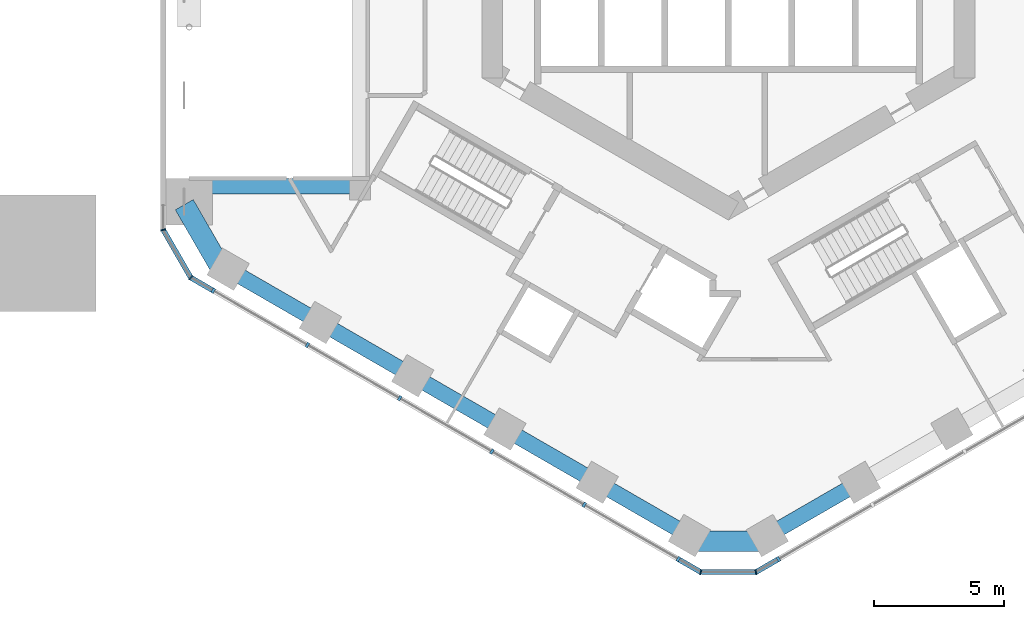
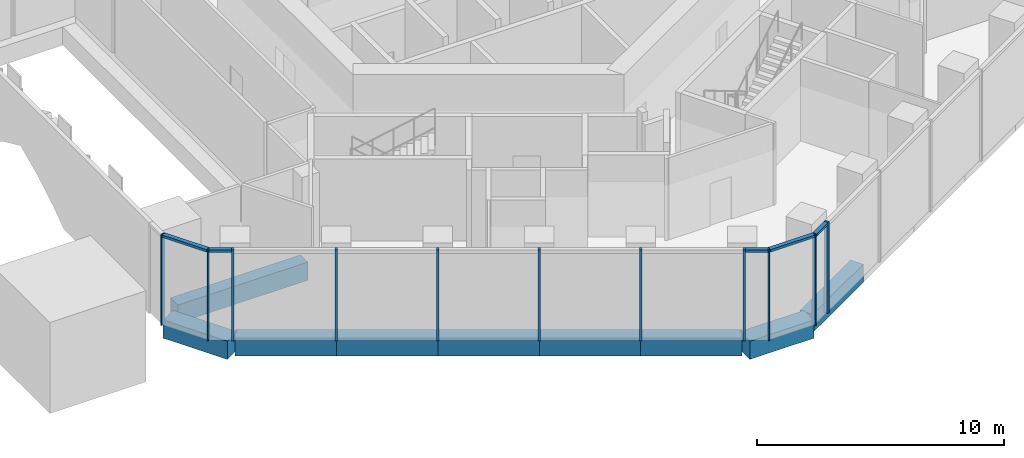
# One storey, part 2 of 14: 16 members, 9 beams, 4 elements without a shape of their own.
"""IFC4 building model written with IfcOpenShell, lengths in metres."""

from ifc_helpers import new_model, si_unit, direction, frame, origin, origin_2d, place, context, subcontext, project, spatial, rectangle, extrude, material, layer, layer_set, material_profile, profile_set, type_object, element, aggregate, save


model = new_model("IFC4")

# Units and contexts
model_context = context("Model", 3, precision=1e-05, world=origin(), true_north=direction((0.0, 1.0)))
body_context = subcontext(model_context, "Body", "Model", "MODEL_VIEW")
ifc_project = project(units=[si_unit("LENGTHUNIT", "METRE"), si_unit("AREAUNIT", "SQUARE_METRE"), si_unit("VOLUMEUNIT", "CUBIC_METRE"), si_unit("PLANEANGLEUNIT", "RADIAN"), si_unit("MASSUNIT", "GRAM", prefix="KILO")], contexts=[model_context])

# Site, building, storey
site_placement = place(None, origin())
site = spatial("IfcSite", under=ifc_project, at=site_placement, CompositionType="ELEMENT")
building_placement = place(site_placement, origin())
building = spatial("IfcBuilding", under=site, at=building_placement, Name="Ayvan Gate Tower", CompositionType="ELEMENT")
storey_placement = place(building_placement, frame((0.0, 0.0, 16.0)))
storey = spatial("IfcBuildingStorey", under=building, at=storey_placement, Name="L03", CompositionType="ELEMENT", Elevation=16.0)

# Beams
ifc_material_1 = material(Name="Concrete C40/50", Category="concrete")
ifc_material_profile_1 = material_profile(ifc_material_1, rectangle(XDim=0.800048828125, YDim=0.89990234375, at=origin_2d()), Name="RC 800x900")
ifc_profile_set_1 = profile_set([ifc_material_profile_1], Name="Concrete C40/50")
beam_type_1 = type_object("IfcBeamType", Name="Corner spandrel beam RC 800x900 C40/50", PredefinedType="BEAM", material=ifc_profile_set_1)
for number, where, z_axis, x_axis, name in (
    (1, (-20.97509765625, -10.3779296875, -0.85009765625), (0.499990139034, -0.866031096941, 0.0), (0.866031096941, 0.499990139034, 0.0), "SB-L03-24"),
    (2, (-1.5, -23.35400390625, -0.85009765625), (1.0, 0.0, 0.0), (0.0, 1.0, 0.0), "SB-L03-30"),
):
    element("IfcBeam", number, at=place(storey_placement, frame(where, z_axis=z_axis, x_axis=x_axis)), inside=storey, type_object=beam_type_1, Name=name, PredefinedType="BEAM", context=body_context, shape_type="SweptSolid", body=[
        extrude(rectangle(XDim=0.800048828125, YDim=0.89990234375, at=origin_2d()), origin(), (0.0, 0.0, 1.0), 3.0),
    ])
ifc_material_profile_2 = material_profile(ifc_material_1, rectangle(XDim=0.60009765625, YDim=0.89990234375, at=origin_2d()), Name="RC 600x900")
ifc_profile_set_2 = profile_set([ifc_material_profile_2], Name="Concrete C40/50")
beam_type_2 = type_object("IfcBeamType", Name="Opening edge beam RC 600x900 C40/50", PredefinedType="BEAM", material=ifc_profile_set_2)
beam_placement = place(storey_placement, frame((-20.28466796875, -9.66796875, -0.85009765625), z_axis=(1.0, 0.0, 0.0), x_axis=(0.0, 1.0, 0.0)))
element("IfcBeam", 3, at=beam_placement, inside=storey, type_object=beam_type_2, Name="OB-L03-3-B", PredefinedType="BEAM", context=body_context, shape_type="SweptSolid", body=[
    extrude(rectangle(XDim=0.60009765625, YDim=0.89990234375, at=origin_2d()), origin(), (0.0, 0.0, 1.0), 6.084716796875),
])
ifc_material_profile_3 = material_profile(ifc_material_1, rectangle(XDim=0.60009765625, YDim=0.89990234375, at=origin_2d()), Name="RC 600x900")
ifc_profile_set_3 = profile_set([ifc_material_profile_3], Name="Concrete C40/50")
beam_type_3 = type_object("IfcBeamType", Name="Spandrel beam RC 600x900 C40/50", PredefinedType="BEAM", material=ifc_profile_set_3)
for number, where, z_axis, x_axis, name in (
    (4, (-19.28466796875, -12.865966796875, -0.85009765625), (0.866010373586, -0.500026032164, 0.0), (0.500026032164, 0.866010373586, 0.0), "SB-L03-25"),
    (5, (-15.727783203125, -14.919677734375, -0.85009765625), (0.866050971923, -0.499955712069, 0.0), (0.499955712069, 0.866050971923, 0.0), "SB-L03-26"),
    (6, (-12.170654296875, -16.97314453125, -0.85009765625), (0.866010373586, -0.500026032164, 0.0), (0.500026032164, 0.866010373586, 0.0), "SB-L03-27"),
    (7, (-8.61376953125, -19.02685546875, -0.85009765625), (0.866036113234, -0.499981450231, 0.0), (0.499981450231, 0.866036113234, 0.0), "SB-L03-28"),
    (8, (-5.056884765625, -21.080322265625, -0.85009765625), (0.866010373586, -0.500026032164, 0.0), (0.500026032164, 0.866010373586, 0.0), "SB-L03-29"),
    (9, (1.5, -23.134033203125, -0.85009765625), (0.866010373586, 0.500026032164, 0.0), (-0.500026032164, 0.866010373586, 0.0), "SB-L03-31"),
):
    element("IfcBeam", number, at=place(storey_placement, frame(where, z_axis=z_axis, x_axis=x_axis)), inside=storey, type_object=beam_type_3, Name=name, PredefinedType="BEAM", context=body_context, shape_type="SweptSolid", body=[
        extrude(rectangle(XDim=0.60009765625, YDim=0.89990234375, at=origin_2d()), origin(), (0.0, 0.0, 1.0), 4.107177734375),
    ])

# Curtain wall, members
ifc_material_2 = material(Name="Bronze anodised aluminium", Category="aluminium")
ifc_layer_1 = layer(ifc_material_2, 0.199951171875)
ifc_layer_set_1 = layer_set([ifc_layer_1], Name="Bronze anodised aluminium")
curtain_wall_type_1 = type_object("IfcCurtainWallType", Name="Stick curtain wall CW-3", PredefinedType="NOTDEFINED", material=ifc_layer_set_1)
curtain_wall_1_placement = place(storey_placement, origin())
curtain_wall_1 = element("IfcCurtainWall", 10, at=curtain_wall_1_placement, inside=storey, type_object=curtain_wall_type_1, Name="Stick curtain wall CW-3 L03", PredefinedType="NOTDEFINED")
ifc_material_profile_4 = material_profile(ifc_material_2, rectangle(XDim=0.199951171875, YDim=0.10009765625, at=origin_2d()), Name="Stick curtain wall CW-3 mullion 200 x 100")
ifc_profile_set_4 = profile_set([ifc_material_profile_4], Name="Bronze anodised aluminium")
member_type_1 = type_object("IfcMemberType", Name="Stick curtain wall CW-3 mullion 200 x 100", PredefinedType="MULLION", material=ifc_profile_set_4)
member_1_placement = place(storey_placement, frame((-19.855224609375, -13.691162109375, 0.0), z_axis=(0.0, 0.0, 1.0), x_axis=(-0.5, -0.866025403784, 0.0)))
member_1 = element("IfcMember", 11, at=member_1_placement, type_object=member_type_1, Name="CW-3 mullion 1", PredefinedType="MULLION", context=body_context, shape_type="SweptSolid", body=[
    extrude(rectangle(XDim=0.199951171875, YDim=0.10009765625, at=origin_2d()), origin(), (0.0, 0.0, 1.0), 4.5),
])
member_2_placement = place(storey_placement, frame((-16.2275390625, -15.78564453125, 0.0), z_axis=(0.0, 0.0, 1.0), x_axis=(-0.5, -0.866025403784, 0.0)))
member_2 = element("IfcMember", 12, at=member_2_placement, type_object=member_type_1, Name="CW-3 mullion 2", PredefinedType="MULLION", context=body_context, shape_type="SweptSolid", body=[
    extrude(rectangle(XDim=0.199951171875, YDim=0.10009765625, at=origin_2d()), origin(), (0.0, 0.0, 1.0), 4.5),
])
member_3_placement = place(storey_placement, frame((-12.670654296875, -17.839111328125, 0.0), z_axis=(0.0, 0.0, 1.0), x_axis=(-0.5, -0.866025403784, 0.0)))
member_3 = element("IfcMember", 13, at=member_3_placement, type_object=member_type_1, Name="CW-3 mullion 3", PredefinedType="MULLION", context=body_context, shape_type="SweptSolid", body=[
    extrude(rectangle(XDim=0.199951171875, YDim=0.10009765625, at=origin_2d()), origin(), (0.0, 0.0, 1.0), 4.5),
])
member_4_placement = place(storey_placement, frame((-9.114013671875, -19.892822265625, 0.0), z_axis=(0.0, 0.0, 1.0), x_axis=(-0.5, -0.866025403784, 0.0)))
member_4 = element("IfcMember", 14, at=member_4_placement, type_object=member_type_1, Name="CW-3 mullion 4", PredefinedType="MULLION", context=body_context, shape_type="SweptSolid", body=[
    extrude(rectangle(XDim=0.199951171875, YDim=0.10009765625, at=origin_2d()), origin(), (0.0, 0.0, 1.0), 4.5),
])
member_5_placement = place(storey_placement, frame((-5.55712890625, -21.9462890625, 0.0), z_axis=(0.0, 0.0, 1.0), x_axis=(-0.5, -0.866025403784, 0.0)))
member_5 = element("IfcMember", 15, at=member_5_placement, type_object=member_type_1, Name="CW-3 mullion 5", PredefinedType="MULLION", context=body_context, shape_type="SweptSolid", body=[
    extrude(rectangle(XDim=0.199951171875, YDim=0.10009765625, at=origin_2d()), origin(), (0.0, 0.0, 1.0), 4.5),
])
member_6_placement = place(storey_placement, frame((-1.92919921875, -24.040771484375, 0.0), z_axis=(0.0, 0.0, 1.0), x_axis=(-0.5, -0.866025403784, 0.0)))
member_6 = element("IfcMember", 16, at=member_6_placement, type_object=member_type_1, Name="CW-3 mullion 6", PredefinedType="MULLION", context=body_context, shape_type="SweptSolid", body=[
    extrude(rectangle(XDim=0.199951171875, YDim=0.10009765625, at=origin_2d()), origin(), (0.0, 0.0, 1.0), 4.5),
])
aggregate(curtain_wall_1, [member_1, member_2, member_3, member_4, member_5, member_6])

# Curtain wall, member
curtain_wall_2_placement = place(storey_placement, origin())
curtain_wall_2 = element("IfcCurtainWall", 17, at=curtain_wall_2_placement, inside=storey, type_object=curtain_wall_type_1, Name="Stick curtain wall CW-3 L03", PredefinedType="NOTDEFINED")
member_7_placement = place(storey_placement, frame((1.92919921875, -24.040771484375, 0.0), z_axis=(0.0, 0.0, 1.0), x_axis=(0.5, -0.866025403784, 0.0)))
member_7 = element("IfcMember", 18, at=member_7_placement, type_object=member_type_1, Name="CW-3 mullion 1", PredefinedType="MULLION", context=body_context, shape_type="SweptSolid", body=[
    extrude(rectangle(XDim=0.199951171875, YDim=0.10009765625, at=origin_2d()), origin(), (0.0, 0.0, 1.0), 4.5),
])
aggregate(curtain_wall_2, [member_7])

# Curtain wall, members
ifc_layer_2 = layer(ifc_material_2, 0.199951171875)
ifc_layer_set_2 = layer_set([ifc_layer_2], Name="Bronze anodised aluminium")
curtain_wall_type_2 = type_object("IfcCurtainWallType", Name="Stick curtain wall CW-6", PredefinedType="NOTDEFINED", material=ifc_layer_set_2)
curtain_wall_3_placement = place(storey_placement, origin())
curtain_wall_3 = element("IfcCurtainWall", 19, at=curtain_wall_3_placement, inside=storey, type_object=curtain_wall_type_2, Name="Stick curtain wall CW-6 L03", PredefinedType="NOTDEFINED")
ifc_material_profile_5 = material_profile(ifc_material_2, rectangle(XDim=0.199951171875, YDim=0.050048828125, at=origin_2d()), Name="Stick curtain wall CW-6 mullion 200 x 50")
ifc_profile_set_5 = profile_set([ifc_material_profile_5], Name="Bronze anodised aluminium")
member_type_2 = type_object("IfcMemberType", Name="Stick curtain wall CW-6 mullion 200 x 50", PredefinedType="MULLION", material=ifc_profile_set_5)
member_8_placement = place(storey_placement, frame((-21.78466796875, -11.349609375, 0.0), z_axis=(0.0, 0.0, 1.0), x_axis=(-0.965925826289, -0.258819045103, 0.0)))
member_8 = element("IfcMember", 20, at=member_8_placement, type_object=member_type_2, Name="CW-6 mullion 2", PredefinedType="MULLION", context=body_context, shape_type="SweptSolid", body=[
    extrude(rectangle(XDim=0.199951171875, YDim=0.050048828125, at=origin_2d()), origin(), (0.0, 0.0, 1.0), 4.5),
])
member_9_placement = place(storey_placement, frame((-20.721435546875, -13.191162109375, 0.0), z_axis=(0.0, 0.0, 1.0), x_axis=(-0.707106781187, -0.707106781187, 0.0)))
member_9 = element("IfcMember", 21, at=member_9_placement, type_object=member_type_2, Name="CW-6 mullion 3", PredefinedType="MULLION", context=body_context, shape_type="SweptSolid", body=[
    extrude(rectangle(XDim=0.199951171875, YDim=0.050048828125, at=origin_2d()), origin(), (0.0, 0.0, 1.0), 4.5),
])

curtain_wall_4_placement = place(storey_placement, origin())
curtain_wall_4 = element("IfcCurtainWall", 22, at=curtain_wall_4_placement, inside=storey, type_object=curtain_wall_type_2, Name="Stick curtain wall CW-6 L03", PredefinedType="NOTDEFINED")
member_10_placement = place(storey_placement, frame((-1.063232421875, -24.540771484375, 0.0), z_axis=(0.0, 0.0, 1.0), x_axis=(-0.258819045103, -0.965925826289, 0.0)))
member_10 = element("IfcMember", 23, at=member_10_placement, type_object=member_type_2, Name="CW-6 mullion 2", PredefinedType="MULLION", context=body_context, shape_type="SweptSolid", body=[
    extrude(rectangle(XDim=0.199951171875, YDim=0.050048828125, at=origin_2d()), origin(), (0.0, 0.0, 1.0), 4.5),
])
member_11_placement = place(storey_placement, frame((1.063232421875, -24.540771484375, 0.0), z_axis=(0.0, 0.0, 1.0), x_axis=(0.258819045103, -0.965925826289, 0.0)))
member_11 = element("IfcMember", 24, at=member_11_placement, type_object=member_type_2, Name="CW-6 mullion 3", PredefinedType="MULLION", context=body_context, shape_type="SweptSolid", body=[
    extrude(rectangle(XDim=0.199951171875, YDim=0.050048828125, at=origin_2d()), origin(), (0.0, 0.0, 1.0), 4.5),
])

# Member
ifc_material_profile_6 = material_profile(ifc_material_2, rectangle(XDim=0.199951171875, YDim=0.1201171875, at=origin_2d()), Name="Stick curtain wall CW-6 transom 200 x 120")
ifc_profile_set_6 = profile_set([ifc_material_profile_6], Name="Bronze anodised aluminium")
member_type_3 = type_object("IfcMemberType", Name="Stick curtain wall CW-6 transom 200 x 120", PredefinedType="USERDEFINED", material=ifc_profile_set_6)
member_12_placement = place(storey_placement, frame((-21.772216796875, -11.371337890625, 4.43994140625), z_axis=(0.500020978615, -0.866013291437, 0.0), x_axis=(0.866013291437, 0.500020978615, 0.0)))
member_12 = element("IfcMember", 25, at=member_12_placement, type_object=member_type_3, Name="CW-6 transom 2", ObjectType="TRANSOM", PredefinedType="USERDEFINED", context=body_context, shape_type="SweptSolid", body=[
    extrude(rectangle(XDim=0.199951171875, YDim=0.1201171875, at=origin_2d()), origin(), (0.0, 0.0, 1.0), 2.07666015625),
])

member_13_placement = place(storey_placement, frame((-20.69970703125, -13.20361328125, 4.43994140625), z_axis=(0.865943820382, -0.500141279983, 0.0), x_axis=(0.500141279983, 0.865943820382, 0.0)))
member_13 = element("IfcMember", 26, at=member_13_placement, type_object=member_type_3, Name="CW-6 transom 3", ObjectType="TRANSOM", PredefinedType="USERDEFINED", context=body_context, shape_type="SweptSolid", body=[
    extrude(rectangle(XDim=0.199951171875, YDim=0.1201171875, at=origin_2d()), origin(), (0.0, 0.0, 1.0), 0.925048828125),
])

aggregate(curtain_wall_3, [member_8, member_9, member_12, member_13])

member_14_placement = place(storey_placement, frame((-1.885986328125, -24.06591796875, 4.43994140625), z_axis=(0.866058118026, -0.49994333299, 0.0), x_axis=(0.49994333299, 0.866058118026, 0.0)))
member_14 = element("IfcMember", 27, at=member_14_placement, type_object=member_type_3, Name="CW-6 transom 1", ObjectType="TRANSOM", PredefinedType="USERDEFINED", context=body_context, shape_type="SweptSolid", body=[
    extrude(rectangle(XDim=0.199951171875, YDim=0.1201171875, at=origin_2d()), origin(), (0.0, 0.0, 1.0), 0.9248046875),
])

member_15_placement = place(storey_placement, frame((-1.038330078125, -24.540771484375, 4.43994140625), z_axis=(1.0, 0.0, 0.0), x_axis=(0.0, 1.0, 0.0)))
member_15 = element("IfcMember", 28, at=member_15_placement, type_object=member_type_3, Name="CW-6 transom 2", ObjectType="TRANSOM", PredefinedType="USERDEFINED", context=body_context, shape_type="SweptSolid", body=[
    extrude(rectangle(XDim=0.199951171875, YDim=0.1201171875, at=origin_2d()), origin(), (0.0, 0.0, 1.0), 2.07666015625),
])

member_16_placement = place(storey_placement, frame((1.0849609375, -24.5283203125, 4.43994140625), z_axis=(0.866058118026, 0.49994333299, 0.0), x_axis=(-0.49994333299, 0.866058118026, 0.0)))
member_16 = element("IfcMember", 29, at=member_16_placement, type_object=member_type_3, Name="CW-6 transom 3", ObjectType="TRANSOM", PredefinedType="USERDEFINED", context=body_context, shape_type="SweptSolid", body=[
    extrude(rectangle(XDim=0.199951171875, YDim=0.1201171875, at=origin_2d()), origin(), (0.0, 0.0, 1.0), 0.9248046875),
])

aggregate(curtain_wall_4, [member_10, member_11, member_14, member_15, member_16])

save(model, "model.ifc")
